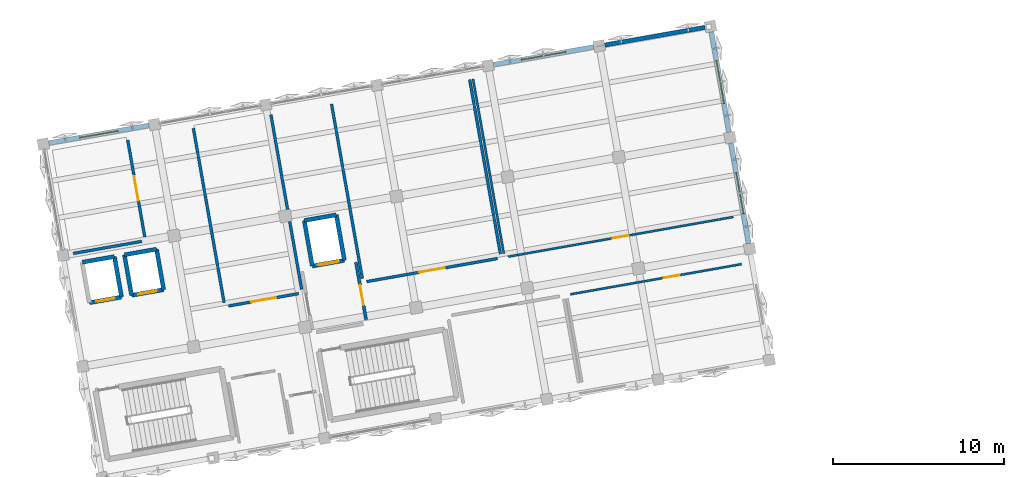
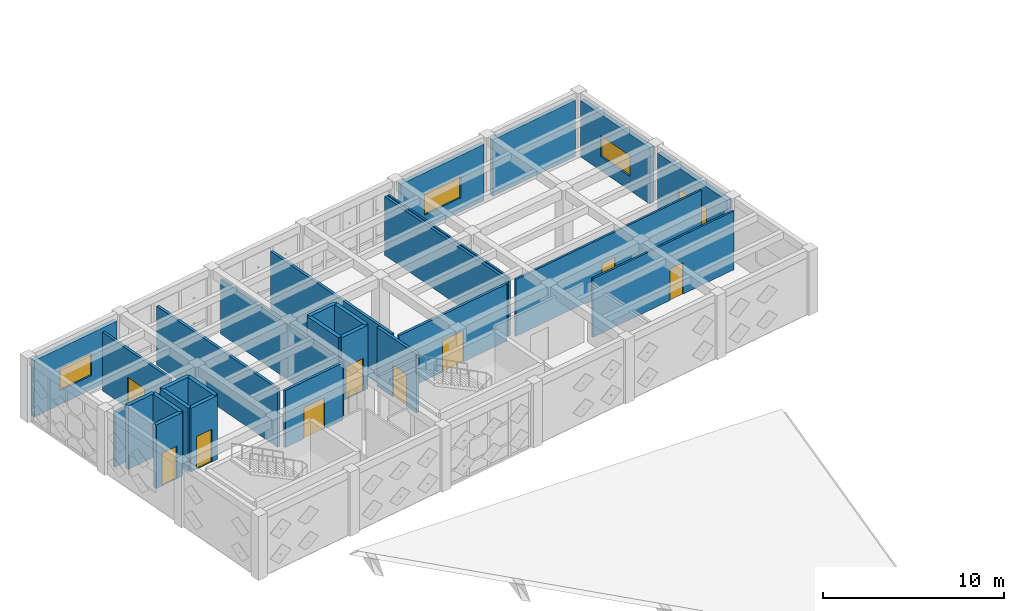
# One storey, part 30 of 39: 28 walls, 9 doors, 4 windows, 13 openings.
"""IFC4 building model written with IfcOpenShell, lengths in metres."""

from ifc_helpers import new_model, si_unit, direction, frame, frame_2d, origin, place, context, subcontext, project, spatial, rectangle, extrude, material, layer, layer_set, type_object, element, fill, save


model = new_model("IFC4")

# Units and contexts
model_context = context("Model", 3, precision=1e-05, world=origin(), true_north=direction((0.0, 1.0)))
body_context = subcontext(model_context, "Body", "Model", "MODEL_VIEW")
ifc_project = project(units=[si_unit("LENGTHUNIT", "METRE"), si_unit("AREAUNIT", "SQUARE_METRE"), si_unit("VOLUMEUNIT", "CUBIC_METRE"), si_unit("PLANEANGLEUNIT", "RADIAN"), si_unit("MASSUNIT", "GRAM", prefix="KILO")], contexts=[model_context])

# Site, building, storey
site_placement = place(None, origin())
site = spatial("IfcSite", under=ifc_project, at=site_placement, CompositionType="ELEMENT")
building_placement = place(site_placement, origin())
building = spatial("IfcBuilding", under=site, at=building_placement, Name="Kharisveld Research Institute", CompositionType="ELEMENT")
storey_placement = place(building_placement, frame((0.0, 0.0, 23.10009765625)))
storey = spatial("IfcBuildingStorey", under=building, at=storey_placement, Name="L05", CompositionType="ELEMENT", Elevation=23.10009765625)

# Walls
ifc_material_1 = material(Name="Concrete C40/50", Category="concrete")
ifc_layer_1 = layer(ifc_material_1, 0.239990234375)
ifc_layer_set_1 = layer_set([ifc_layer_1], Name="WL_CORE_240")
wall_type_1 = type_object("IfcWallType", Name="WL_CORE_240", PredefinedType="SHEAR", material=ifc_layer_set_1)
wall_1_placement = place(storey_placement, frame((17.48828125, 47.3818359375, 0.0), z_axis=(0.0, 0.0, 1.0), x_axis=(-0.173615102578, 0.98481358447, 0.0)))
element("IfcWall", 1, at=wall_1_placement, inside=storey, type_object=wall_type_1, Name="WL:LFT:FFL-01:L05:W", PredefinedType="SHEAR", context=body_context, shape_type="SweptSolid", body=[
    extrude(rectangle(XDim=2.699951171875, YDim=0.239990234375, at=frame_2d((1.35009765625, 0.0))), origin(), (0.0, 0.0, 1.0), 4.27978515625),
])
wall_2_placement = place(storey_placement, frame((17.01953125, 50.040771484375, 0.0), z_axis=(0.0, 0.0, 1.0), x_axis=(0.984815882103, 0.173602068988, 0.0)))
element("IfcWall", 2, at=wall_2_placement, inside=storey, type_object=wall_type_1, Name="WL:LFT:FFL-01:L05:N", PredefinedType="SHEAR", context=body_context, shape_type="SweptSolid", body=[
    extrude(rectangle(XDim=1.89990234375, YDim=0.239990234375, at=frame_2d((0.949951171875, 0.0))), origin(), (0.0, 0.0, 1.0), 4.27978515625),
])
wall_3_placement = place(storey_placement, frame((18.890625, 50.37060546875, 0.0), z_axis=(0.0, 0.0, 1.0), x_axis=(0.173615102578, -0.98481358447, 0.0)))
element("IfcWall", 3, at=wall_3_placement, inside=storey, type_object=wall_type_1, Name="WL:LFT:FFL-01:L05:E", PredefinedType="SHEAR", context=body_context, shape_type="SweptSolid", body=[
    extrude(rectangle(XDim=2.699951171875, YDim=0.239990234375, at=frame_2d((1.35009765625, 0.0))), origin(), (0.0, 0.0, 1.0), 4.27978515625),
])

# Wall, opening, door
wall_4_placement = place(storey_placement, frame((19.359375, 47.711669921875, 0.0), z_axis=(0.0, 0.0, 1.0), x_axis=(-0.984815882103, -0.173602068988, 0.0)))
wall_4 = element("IfcWall", 4, at=wall_4_placement, inside=storey, type_object=wall_type_1, Name="WL:LFT:FFL-01:L05:S", PredefinedType="SHEAR", context=body_context, shape_type="SweptSolid", body=[
    extrude(rectangle(XDim=1.89990234375, YDim=0.239990234375, at=frame_2d((0.949951171875, 0.0))), origin(), (0.0, 0.0, 1.0), 4.27978515625),
])
opening_1_placement = place(wall_4_placement, frame((0.324951171875, 0.0, 0.0)))
opening_1 = element("IfcOpeningElement", 5, at=opening_1_placement, cuts=wall_4, Name="Opening LD-02", PredefinedType="OPENING", context=body_context, shape_type="SweptSolid", body=[
    extrude(rectangle(XDim=1.25, YDim=2.199951171875, at=frame_2d((0.625, 1.10009765625))), frame((0.0, 0.1201171875, 0.0), z_axis=(0.0, -1.0, 0.0), x_axis=(1.0, 0.0, 0.0)), (0.0, 0.0, 1.0), 0.239990234375),
])
ifc_material_2 = material(Name="Flush Painted Hardwood and Anodised Aluminium", Category="wood")
door_type_1 = type_object("IfcDoorType", Name="DR_LFT_125", OperationType="SLIDING_TO_RIGHT", PredefinedType="DOOR", material=ifc_material_2)
door_1_placement = place(opening_1_placement, origin())
door_1 = element("IfcDoor", 6, at=door_1_placement, inside=storey, type_object=door_type_1, Name="FFL-01 Lift Landing Door L05", OperationType="SLIDING_TO_RIGHT", OverallHeight=2.199951171875, OverallWidth=1.25, PredefinedType="DOOR", context=body_context, shape_type="SweptSolid", body=[
    extrude(rectangle(XDim=1.25, YDim=2.199951171875, at=frame_2d((0.625, 1.10009765625))), frame((0.0, 0.02490234375, 0.0), z_axis=(0.0, -1.0, 0.0), x_axis=(1.0, 0.0, 0.0)), (0.0, 0.0, 1.0), 0.050048828125),
])
fill(opening_1, door_1)

# Walls
wall_5_placement = place(storey_placement, frame((4.046142578125, 47.600830078125, 0.0), z_axis=(0.0, 0.0, 1.0), x_axis=(0.984793905749, 0.173726691098, 0.0)))
element("IfcWall", 7, at=wall_5_placement, inside=storey, type_object=wall_type_1, Name="WL:LFT:PL-01:L05:N", PredefinedType="SHEAR", context=body_context, shape_type="SweptSolid", body=[
    extrude(rectangle(XDim=1.89990234375, YDim=0.239990234375, at=frame_2d((0.949951171875, 0.0))), origin(), (0.0, 0.0, 1.0), 4.27978515625),
])
wall_6_placement = place(storey_placement, frame((5.917236328125, 47.930908203125, 0.0), z_axis=(0.0, 0.0, 1.0), x_axis=(0.173646056486, -0.984808127031, 0.0)))
element("IfcWall", 8, at=wall_6_placement, inside=storey, type_object=wall_type_1, Name="WL:LFT:PL-01:L05:E", PredefinedType="SHEAR", context=body_context, shape_type="SweptSolid", body=[
    extrude(rectangle(XDim=2.39990234375, YDim=0.239990234375, at=frame_2d((1.199951171875, 0.0))), origin(), (0.0, 0.0, 1.0), 4.27978515625),
])

# Wall, opening, door
wall_7_placement = place(storey_placement, frame((6.333984375, 45.5673828125, 0.0), z_axis=(0.0, 0.0, 1.0), x_axis=(-0.984793905749, -0.173726691098, 0.0)))
wall_7 = element("IfcWall", 9, at=wall_7_placement, inside=storey, type_object=wall_type_1, Name="WL:LFT:PL-01:L05:S", PredefinedType="SHEAR", context=body_context, shape_type="SweptSolid", body=[
    extrude(rectangle(XDim=1.89990234375, YDim=0.239990234375, at=frame_2d((0.949951171875, 0.0))), origin(), (0.0, 0.0, 1.0), 4.27978515625),
])
opening_2_placement = place(wall_7_placement, frame((0.39990234375, 0.0, 0.0)))
opening_2 = element("IfcOpeningElement", 10, at=opening_2_placement, cuts=wall_7, Name="Opening LD-01", PredefinedType="OPENING", context=body_context, shape_type="SweptSolid", body=[
    extrude(rectangle(XDim=1.10009765625, YDim=2.199951171875, at=frame_2d((0.550048828125, 1.10009765625))), frame((0.0, 0.1201171875, 0.0), z_axis=(0.0, -1.0, 0.0), x_axis=(1.0, 0.0, 0.0)), (0.0, 0.0, 1.0), 0.239990234375),
])
ifc_material_3 = material(Name="Flush Painted Hardwood and Anodised Aluminium", Category="wood")
door_type_2 = type_object("IfcDoorType", Name="DR_LFT_110", OperationType="SLIDING_TO_LEFT", PredefinedType="DOOR", material=ifc_material_3)
door_2_placement = place(opening_2_placement, origin())
door_2 = element("IfcDoor", 11, at=door_2_placement, inside=storey, type_object=door_type_2, Name="PL-01 Lift Landing Door L05", OperationType="SLIDING_TO_LEFT", OverallHeight=2.199951171875, OverallWidth=1.10009765625, PredefinedType="DOOR", context=body_context, shape_type="SweptSolid", body=[
    extrude(rectangle(XDim=1.10009765625, YDim=2.199951171875, at=frame_2d((0.550048828125, 1.10009765625))), frame((0.0, 0.02490234375, 0.0), z_axis=(0.0, -1.0, 0.0), x_axis=(1.0, 0.0, 0.0)), (0.0, 0.0, 1.0), 0.050048828125),
])
fill(opening_2, door_2)

# Walls
wall_8_placement = place(storey_placement, frame((6.9248046875, 45.67138671875, 0.0), z_axis=(0.0, 0.0, 1.0), x_axis=(-0.173646056486, 0.984808127031, 0.0)))
element("IfcWall", 12, at=wall_8_placement, inside=storey, type_object=wall_type_1, Name="WL:LFT:PL-02:L05:W", PredefinedType="SHEAR", context=body_context, shape_type="SweptSolid", body=[
    extrude(rectangle(XDim=2.39990234375, YDim=0.239990234375, at=frame_2d((1.199951171875, 0.0))), origin(), (0.0, 0.0, 1.0), 4.27978515625),
])
wall_9_placement = place(storey_placement, frame((6.508056640625, 48.034912109375, 0.0), z_axis=(0.0, 0.0, 1.0), x_axis=(0.984793905749, 0.173726691098, 0.0)))
element("IfcWall", 13, at=wall_9_placement, inside=storey, type_object=wall_type_1, Name="WL:LFT:PL-02:L05:N", PredefinedType="SHEAR", context=body_context, shape_type="SweptSolid", body=[
    extrude(rectangle(XDim=1.89990234375, YDim=0.239990234375, at=frame_2d((0.949951171875, 0.0))), origin(), (0.0, 0.0, 1.0), 4.27978515625),
])
wall_10_placement = place(storey_placement, frame((8.379150390625, 48.364990234375, 0.0), z_axis=(0.0, 0.0, 1.0), x_axis=(0.173646056486, -0.984808127031, 0.0)))
element("IfcWall", 14, at=wall_10_placement, inside=storey, type_object=wall_type_1, Name="WL:LFT:PL-02:L05:E", PredefinedType="SHEAR", context=body_context, shape_type="SweptSolid", body=[
    extrude(rectangle(XDim=2.39990234375, YDim=0.239990234375, at=frame_2d((1.199951171875, 0.0))), origin(), (0.0, 0.0, 1.0), 4.27978515625),
])

# Wall, opening, door
wall_11_placement = place(storey_placement, frame((8.7958984375, 46.00146484375, 0.0), z_axis=(0.0, 0.0, 1.0), x_axis=(-0.984793905749, -0.173726691098, 0.0)))
wall_11 = element("IfcWall", 15, at=wall_11_placement, inside=storey, type_object=wall_type_1, Name="WL:LFT:PL-02:L05:S", PredefinedType="SHEAR", context=body_context, shape_type="SweptSolid", body=[
    extrude(rectangle(XDim=1.89990234375, YDim=0.239990234375, at=frame_2d((0.949951171875, 0.0))), origin(), (0.0, 0.0, 1.0), 4.27978515625),
])
opening_3_placement = place(wall_11_placement, frame((0.39990234375, 0.0, 0.0)))
opening_3 = element("IfcOpeningElement", 16, at=opening_3_placement, cuts=wall_11, Name="Opening LD-01", PredefinedType="OPENING", context=body_context, shape_type="SweptSolid", body=[
    extrude(rectangle(XDim=1.10009765625, YDim=2.199951171875, at=frame_2d((0.550048828125, 1.10009765625))), frame((0.0, 0.1201171875, 0.0), z_axis=(0.0, -1.0, 0.0), x_axis=(1.0, 0.0, 0.0)), (0.0, 0.0, 1.0), 0.239990234375),
])
door_3_placement = place(opening_3_placement, origin())
door_3 = element("IfcDoor", 17, at=door_3_placement, inside=storey, type_object=door_type_2, Name="PL-02 Lift Landing Door L05", OperationType="SLIDING_TO_LEFT", OverallHeight=2.199951171875, OverallWidth=1.10009765625, PredefinedType="DOOR", context=body_context, shape_type="SweptSolid", body=[
    extrude(rectangle(XDim=1.10009765625, YDim=2.199951171875, at=frame_2d((0.550048828125, 1.10009765625))), frame((0.0, 0.02490234375, 0.0), z_axis=(0.0, -1.0, 0.0), x_axis=(1.0, 0.0, 0.0)), (0.0, 0.0, 1.0), 0.050048828125),
])
fill(opening_3, door_3)

# Wall
ifc_material_4 = material(Name="Lightweight Acoustic Spandrel", Category="mineral")
ifc_layer_2 = layer(ifc_material_4, 0.2451171875)
ifc_layer_set_2 = layer_set([ifc_layer_2], Name="WL_EXT_245")
wall_type_2 = type_object("IfcWallType", Name="WL_EXT_245", PredefinedType="STANDARD", material=ifc_layer_set_2)
wall_12_placement = place(storey_placement, frame((34.575439453125, 60.295166015625, 0.0), z_axis=(0.0, 0.0, 1.0), x_axis=(0.984809527099, 0.173638116021, 0.0)))
element("IfcWall", 18, at=wall_12_placement, inside=storey, type_object=wall_type_2, Name="WL:V1:L05:N5", PredefinedType="STANDARD", context=body_context, shape_type="SweptSolid", body=[
    extrude(rectangle(XDim=5.960205078125, YDim=0.2451171875, at=frame_2d((2.97998046875, 0.0))), origin(), (0.0, 0.0, 1.0), 3.794921875),
])

# Wall, opening, window
ifc_material_5 = material(Name="Precast Concrete C40/50 Thermal Wall", Category="concrete")
ifc_layer_3 = layer(ifc_material_5, 0.260009765625)
ifc_layer_set_3 = layer_set([ifc_layer_3], Name="WL_EXT_260")
wall_type_3 = type_object("IfcWallType", Name="WL_EXT_260", PredefinedType="STANDARD", material=ifc_layer_set_3)
wall_13_placement = place(storey_placement, frame((2.076904296875, 54.564697265625, 0.0), z_axis=(0.0, 0.0, 1.0), x_axis=(0.98480829201, 0.173645120828, 0.0)))
wall_13 = element("IfcWall", 19, at=wall_13_placement, inside=storey, type_object=wall_type_3, Name="WL:V1:L05:N0", PredefinedType="STANDARD", context=body_context, shape_type="SweptSolid", body=[
    extrude(rectangle(XDim=5.9599609375, YDim=0.260009765625, at=frame_2d((2.97998046875, 0.0))), origin(), (0.0, 0.0, 1.0), 3.794921875),
])
opening_4_placement = place(wall_13_placement, frame((1.844970703125, 0.0, 0.949951171875)))
opening_4 = element("IfcOpeningElement", 20, at=opening_4_placement, cuts=wall_13, Name="Opening WN-33", PredefinedType="OPENING", context=body_context, shape_type="SweptSolid", body=[
    extrude(rectangle(XDim=2.27001953125, YDim=1.47998046875, at=frame_2d((1.135009765625, 0.739990234375))), frame((0.0, 0.1298828125, 0.0), z_axis=(0.0, -1.0, 0.0), x_axis=(1.0, 0.0, 0.0)), (0.0, 0.0, 1.0), 0.260009765625),
])
ifc_material_6 = material(Name="Low-E Double Glazing", Category="glass")
window_type_1 = type_object("IfcWindowType", Name="WN_33", PartitioningType="DOUBLE_PANEL_VERTICAL", PredefinedType="WINDOW", material=ifc_material_6)
window_1_placement = place(opening_4_placement, origin())
window_1 = element("IfcWindow", 21, at=window_1_placement, inside=storey, type_object=window_type_1, Name="WN:V1:L05:N0", OverallHeight=1.47998046875, OverallWidth=2.27001953125, PartitioningType="SINGLE_PANEL", PredefinedType="WINDOW", context=body_context, shape_type="SweptSolid", body=[
    extrude(rectangle(XDim=2.27001953125, YDim=1.47998046875, at=frame_2d((1.135009765625, 0.739990234375))), frame((0.0, 0.030029296875, 0.0), z_axis=(0.0, -1.0, 0.0), x_axis=(1.0, 0.0, 0.0)), (0.0, 0.0, 1.0), 0.06005859375),
])
fill(opening_4, window_1)

wall_14_placement = place(storey_placement, frame((28.075927734375, 59.149169921875, 0.0), z_axis=(0.0, 0.0, 1.0), x_axis=(0.98480829201, 0.173645120828, 0.0)))
wall_14 = element("IfcWall", 22, at=wall_14_placement, inside=storey, type_object=wall_type_3, Name="WL:V1:L05:N4", PredefinedType="STANDARD", context=body_context, shape_type="SweptSolid", body=[
    extrude(rectangle(XDim=5.9599609375, YDim=0.260009765625, at=frame_2d((2.97998046875, 0.0))), origin(), (0.0, 0.0, 1.0), 3.794921875),
])
opening_5_placement = place(wall_14_placement, frame((1.6650390625, 0.0, 0.949951171875)))
opening_5 = element("IfcOpeningElement", 23, at=opening_5_placement, cuts=wall_14, Name="Opening WN-37", PredefinedType="OPENING", context=body_context, shape_type="SweptSolid", body=[
    extrude(rectangle(XDim=2.6298828125, YDim=1.419921875, at=frame_2d((1.31494140625, 0.7099609375))), frame((0.0, 0.1298828125, 0.0), z_axis=(0.0, -1.0, 0.0), x_axis=(1.0, 0.0, 0.0)), (0.0, 0.0, 1.0), 0.260009765625),
])
ifc_material_7 = material(Name="Low-E Double Glazing", Category="glass")
window_type_2 = type_object("IfcWindowType", Name="WN_37", PartitioningType="DOUBLE_PANEL_VERTICAL", PredefinedType="WINDOW", material=ifc_material_7)
window_2_placement = place(opening_5_placement, origin())
window_2 = element("IfcWindow", 24, at=window_2_placement, inside=storey, type_object=window_type_2, Name="WN:V1:L05:N4", OverallHeight=1.419921875, OverallWidth=2.6298828125, PartitioningType="SINGLE_PANEL", PredefinedType="WINDOW", context=body_context, shape_type="SweptSolid", body=[
    extrude(rectangle(XDim=2.6298828125, YDim=1.419921875, at=frame_2d((1.31494140625, 0.7099609375))), frame((0.0, 0.030029296875, 0.0), z_axis=(0.0, -1.0, 0.0), x_axis=(1.0, 0.0, 0.0)), (0.0, 0.0, 1.0), 0.06005859375),
])
fill(opening_5, window_2)

ifc_material_8 = material(Name="Precast Concrete C40/50 Thermal Wall", Category="concrete")
ifc_layer_4 = layer(ifc_material_8, 0.27490234375)
ifc_layer_set_4 = layer_set([ifc_layer_4], Name="WL_EXT_275")
wall_type_4 = type_object("IfcWallType", Name="WL_EXT_275", PredefinedType="STANDARD", material=ifc_layer_set_4)
wall_15_placement = place(storey_placement, frame((40.815673828125, 61.070556640625, 0.0), z_axis=(0.0, 0.0, 1.0), x_axis=(0.173645120828, -0.98480829201, 0.0)))
wall_15 = element("IfcWall", 25, at=wall_15_placement, inside=storey, type_object=wall_type_4, Name="WL:V1:L05:E3", PredefinedType="STANDARD", context=body_context, shape_type="SweptSolid", body=[
    extrude(rectangle(XDim=5.9599609375, YDim=0.27490234375, at=frame_2d((2.97998046875, 0.0))), origin(), (0.0, 0.0, 1.0), 3.794921875),
])
opening_6_placement = place(wall_15_placement, frame((1.7099609375, 0.0, 0.949951171875)))
opening_6 = element("IfcOpeningElement", 26, at=opening_6_placement, cuts=wall_15, Name="Opening WN-36", PredefinedType="OPENING", context=body_context, shape_type="SweptSolid", body=[
    extrude(rectangle(XDim=2.5400390625, YDim=1.39990234375, at=frame_2d((1.27001953125, 0.699951171875))), frame((0.0, 0.137451171875, 0.0), z_axis=(0.0, -1.0, 0.0), x_axis=(1.0, 0.0, 0.0)), (0.0, 0.0, 1.0), 0.27490234375),
])
ifc_material_9 = material(Name="Low-E Double Glazing", Category="glass")
window_type_3 = type_object("IfcWindowType", Name="WN_36", PartitioningType="DOUBLE_PANEL_VERTICAL", PredefinedType="WINDOW", material=ifc_material_9)
window_3_placement = place(opening_6_placement, origin())
window_3 = element("IfcWindow", 27, at=window_3_placement, inside=storey, type_object=window_type_3, Name="WN:V1:L05:E3", OverallHeight=1.39990234375, OverallWidth=2.5400390625, PartitioningType="SINGLE_PANEL", PredefinedType="WINDOW", context=body_context, shape_type="SweptSolid", body=[
    extrude(rectangle(XDim=2.5400390625, YDim=1.39990234375, at=frame_2d((1.27001953125, 0.699951171875))), frame((0.0, 0.030029296875, 0.0), z_axis=(0.0, -1.0, 0.0), x_axis=(1.0, 0.0, 0.0)), (0.0, 0.0, 1.0), 0.06005859375),
])
fill(opening_6, window_3)

ifc_material_10 = material(Name="Precast Concrete C40/50 Thermal Wall", Category="concrete")
ifc_layer_5 = layer(ifc_material_10, 0.2900390625)
ifc_layer_set_5 = layer_set([ifc_layer_5], Name="WL_EXT_290")
wall_type_5 = type_object("IfcWallType", Name="WL_EXT_290", PredefinedType="STANDARD", material=ifc_layer_set_5)
wall_16_placement = place(storey_placement, frame((41.9619140625, 54.57080078125, 0.0), z_axis=(0.0, 0.0, 1.0), x_axis=(0.173645120828, -0.98480829201, 0.0)))
wall_16 = element("IfcWall", 28, at=wall_16_placement, inside=storey, type_object=wall_type_5, Name="WL:V1:L05:E2", PredefinedType="STANDARD", context=body_context, shape_type="SweptSolid", body=[
    extrude(rectangle(XDim=5.9599609375, YDim=0.2900390625, at=frame_2d((2.97998046875, 0.0))), origin(), (0.0, 0.0, 1.0), 3.794921875),
])
opening_7_placement = place(wall_16_placement, frame((1.7548828125, 0.0, 0.949951171875)))
opening_7 = element("IfcOpeningElement", 29, at=opening_7_placement, cuts=wall_16, Name="Opening WN-35", PredefinedType="OPENING", context=body_context, shape_type="SweptSolid", body=[
    extrude(rectangle(XDim=2.449951171875, YDim=1.3798828125, at=frame_2d((1.22509765625, 0.68994140625))), frame((0.0, 0.14501953125, 0.0), z_axis=(0.0, -1.0, 0.0), x_axis=(1.0, 0.0, 0.0)), (0.0, 0.0, 1.0), 0.2900390625),
])
ifc_material_11 = material(Name="Low-E Double Glazing", Category="glass")
window_type_4 = type_object("IfcWindowType", Name="WN_35", PartitioningType="DOUBLE_PANEL_VERTICAL", PredefinedType="WINDOW", material=ifc_material_11)
window_4_placement = place(opening_7_placement, origin())
window_4 = element("IfcWindow", 30, at=window_4_placement, inside=storey, type_object=window_type_4, Name="WN:V1:L05:E2", OverallHeight=1.3798828125, OverallWidth=2.449951171875, PartitioningType="SINGLE_PANEL", PredefinedType="WINDOW", context=body_context, shape_type="SweptSolid", body=[
    extrude(rectangle(XDim=2.449951171875, YDim=1.3798828125, at=frame_2d((1.22509765625, 0.68994140625))), frame((0.0, 0.030029296875, 0.0), z_axis=(0.0, -1.0, 0.0), x_axis=(1.0, 0.0, 0.0)), (0.0, 0.0, 1.0), 0.06005859375),
])
fill(opening_7, window_4)

# Wall
ifc_material_12 = material(Name="Acoustic Drywall Partition", Category="mineral")
ifc_layer_6 = layer(ifc_material_12, 0.1650390625)
ifc_layer_set_6 = layer_set([ifc_layer_6], Name="WL_LAB_165")
wall_type_6 = type_object("IfcWallType", Name="WL_LAB_165", PredefinedType="PARTITIONING", material=ifc_layer_set_6)
wall_17_placement = place(storey_placement, frame((3.518310546875, 48.1171875, 0.0), z_axis=(0.0, 0.0, 1.0), x_axis=(0.984816834462, 0.173596666326, 0.0)))
element("IfcWall", 31, at=wall_17_placement, inside=storey, type_object=wall_type_6, Name="WL:RM:V1:L05:NW:S", PredefinedType="PARTITIONING", context=body_context, shape_type="SweptSolid", body=[
    extrude(rectangle(XDim=4.060302734375, YDim=0.1650390625, at=frame_2d((2.0302734375, 0.0))), origin(), (0.0, 0.0, 1.0), 3.69482421875),
])

# Wall, opening, door
wall_18_placement = place(storey_placement, frame((7.6953125, 49.076904296875, 0.0), z_axis=(0.0, 0.0, 1.0), x_axis=(-0.173649928941, 0.984807444214, 0.0)))
wall_18 = element("IfcWall", 32, at=wall_18_placement, inside=storey, type_object=wall_type_6, Name="WL:RM:V1:L05:NW:E", PredefinedType="PARTITIONING", context=body_context, shape_type="SweptSolid", body=[
    extrude(rectangle(XDim=5.760009765625, YDim=0.1650390625, at=frame_2d((2.8798828125, 0.0))), origin(), (0.0, 0.0, 1.0), 3.949951171875),
])
opening_8_placement = place(wall_18_placement, frame((2.155029296875, 0.0, 0.0)))
opening_8 = element("IfcOpeningElement", 33, at=opening_8_placement, cuts=wall_18, Name="Opening DI-115", PredefinedType="OPENING", context=body_context, shape_type="SweptSolid", body=[
    extrude(rectangle(XDim=1.449951171875, YDim=2.080078125, at=frame_2d((0.72509765625, 1.0400390625))), frame((0.0, 0.08251953125, 0.0), z_axis=(0.0, -1.0, 0.0), x_axis=(1.0, 0.0, 0.0)), (0.0, 0.0, 1.0), 0.1650390625),
])
ifc_material_13 = material(Name="Flush Painted Hardwood and Anodised Aluminium", Category="wood")
door_type_3 = type_object("IfcDoorType", Name="DR_VAR_19", OperationType="NOTDEFINED", PredefinedType="DOOR", material=ifc_material_13)
door_4_placement = place(opening_8_placement, origin())
door_4 = element("IfcDoor", 34, at=door_4_placement, inside=storey, type_object=door_type_3, Name="DR:RM:V1:L05:NW:E", OperationType="SINGLE_SWING_RIGHT", OverallHeight=2.080078125, OverallWidth=1.449951171875, PredefinedType="DOOR", context=body_context, shape_type="SweptSolid", body=[
    extrude(rectangle(XDim=1.449951171875, YDim=2.080078125, at=frame_2d((0.72509765625, 1.0400390625))), frame((0.0, 0.02490234375, 0.0), z_axis=(0.0, -1.0, 0.0), x_axis=(1.0, 0.0, 0.0)), (0.0, 0.0, 1.0), 0.050048828125),
])
fill(opening_8, door_4)

wall_19_placement = place(storey_placement, frame((12.589599609375, 45.045654296875, 0.0), z_axis=(0.0, 0.0, 1.0), x_axis=(0.984805411783, 0.173661454915, 0.0)))
wall_19 = element("IfcWall", 35, at=wall_19_placement, inside=storey, type_object=wall_type_6, Name="WL:RM:V1:L05:N1:S", PredefinedType="PARTITIONING", context=body_context, shape_type="SweptSolid", body=[
    extrude(rectangle(XDim=4.159912109375, YDim=0.1650390625, at=frame_2d((2.080078125, 0.0))), origin(), (0.0, 0.0, 1.0), 3.844970703125),
])
opening_9_placement = place(wall_19_placement, frame((1.340087890625, 0.0, 0.0)))
opening_9 = element("IfcOpeningElement", 36, at=opening_9_placement, cuts=wall_19, Name="Opening DI-116", PredefinedType="OPENING", context=body_context, shape_type="SweptSolid", body=[
    extrude(rectangle(XDim=1.47998046875, YDim=2.10009765625, at=frame_2d((0.739990234375, 1.050048828125))), frame((0.0, 0.08251953125, 0.0), z_axis=(0.0, -1.0, 0.0), x_axis=(1.0, 0.0, 0.0)), (0.0, 0.0, 1.0), 0.1650390625),
])
ifc_material_14 = material(Name="Flush Painted Hardwood and Anodised Aluminium", Category="wood")
door_type_4 = type_object("IfcDoorType", Name="DR_VAR_20", OperationType="NOTDEFINED", PredefinedType="DOOR", material=ifc_material_14)
door_5_placement = place(opening_9_placement, origin())
door_5 = element("IfcDoor", 37, at=door_5_placement, inside=storey, type_object=door_type_4, Name="DR:RM:V1:L05:N1:S", OperationType="SINGLE_SWING_LEFT", OverallHeight=2.10009765625, OverallWidth=1.47998046875, PredefinedType="DOOR", context=body_context, shape_type="SweptSolid", body=[
    extrude(rectangle(XDim=1.47998046875, YDim=2.10009765625, at=frame_2d((0.739990234375, 1.050048828125))), frame((0.0, 0.02490234375, 0.0), z_axis=(0.0, -1.0, 0.0), x_axis=(1.0, 0.0, 0.0)), (0.0, 0.0, 1.0), 0.050048828125),
])
fill(opening_9, door_5)

# Walls
wall_20_placement = place(storey_placement, frame((16.86474609375, 46.02294921875, 0.0), z_axis=(0.0, 0.0, 1.0), x_axis=(-0.173632075677, 0.984810592092, 0.0)))
element("IfcWall", 38, at=wall_20_placement, inside=storey, type_object=wall_type_6, Name="WL:RM:V1:L05:N1:E", PredefinedType="PARTITIONING", context=body_context, shape_type="SweptSolid", body=[
    extrude(rectangle(XDim=10.360107421875, YDim=0.1650390625, at=frame_2d((5.18017578125, 0.0))), origin(), (0.0, 0.0, 1.0), 3.69482421875),
])
wall_21_placement = place(storey_placement, frame((10.53564453125, 55.4267578125, 0.0), z_axis=(0.0, 0.0, 1.0), x_axis=(0.173654930775, -0.984806562233, 0.0)))
element("IfcWall", 39, at=wall_21_placement, inside=storey, type_object=wall_type_6, Name="WL:RM:V1:L05:N1:W", PredefinedType="PARTITIONING", context=body_context, shape_type="SweptSolid", body=[
    extrude(rectangle(XDim=10.360107421875, YDim=0.1650390625, at=frame_2d((5.18017578125, 0.0))), origin(), (0.0, 0.0, 1.0), 3.949951171875),
])

# Wall, opening, door
wall_22_placement = place(storey_placement, frame((20.6650390625, 46.469482421875, 0.0), z_axis=(0.0, 0.0, 1.0), x_axis=(0.984804455571, 0.173666877348, 0.0)))
wall_22 = element("IfcWall", 40, at=wall_22_placement, inside=storey, type_object=wall_type_6, Name="WL:RM:V1:L05:N2:S", PredefinedType="PARTITIONING", context=body_context, shape_type="SweptSolid", body=[
    extrude(rectangle(XDim=7.760009765625, YDim=0.1650390625, at=frame_2d((3.8798828125, 0.0))), origin(), (0.0, 0.0, 1.0), 3.844970703125),
])
opening_10_placement = place(wall_22_placement, frame((3.125, 0.0, 0.0)))
opening_10 = element("IfcOpeningElement", 41, at=opening_10_placement, cuts=wall_22, Name="Opening DI-117", PredefinedType="OPENING", context=body_context, shape_type="SweptSolid", body=[
    extrude(rectangle(XDim=1.510009765625, YDim=2.1201171875, at=frame_2d((0.7548828125, 1.06005859375))), frame((0.0, 0.08251953125, 0.0), z_axis=(0.0, -1.0, 0.0), x_axis=(1.0, 0.0, 0.0)), (0.0, 0.0, 1.0), 0.1650390625),
])
ifc_material_15 = material(Name="Flush Painted Hardwood and Anodised Aluminium", Category="wood")
door_type_5 = type_object("IfcDoorType", Name="DR_VAR_21", OperationType="NOTDEFINED", PredefinedType="DOOR", material=ifc_material_15)
door_6_placement = place(opening_10_placement, origin())
door_6 = element("IfcDoor", 42, at=door_6_placement, inside=storey, type_object=door_type_5, Name="DR:RM:V1:L05:N2:S", OperationType="SINGLE_SWING_RIGHT", OverallHeight=2.1201171875, OverallWidth=1.510009765625, PredefinedType="DOOR", context=body_context, shape_type="SweptSolid", body=[
    extrude(rectangle(XDim=1.510009765625, YDim=2.1201171875, at=frame_2d((0.7548828125, 1.06005859375))), frame((0.0, 0.02490234375, 0.0), z_axis=(0.0, -1.0, 0.0), x_axis=(1.0, 0.0, 0.0)), (0.0, 0.0, 1.0), 0.050048828125),
])
fill(opening_10, door_6)

# Walls
for number, where, z_axis, x_axis, name in (
    (43, (28.485595703125, 48.072021484375, 0.0), (0.0, 0.0, 1.0), (-0.173654930775, 0.984806562233, 0.0), "WL:RM:V1:L05:N2:E"),
    (44, (18.611083984375, 56.8505859375, 0.0), (0.0, 0.0, 1.0), (0.173654930775, -0.984806562233, 0.0), "WL:RM:V1:L05:N2:W"),
):
    element("IfcWall", number, at=place(storey_placement, frame(where, z_axis=z_axis, x_axis=x_axis)), inside=storey, type_object=wall_type_6, Name=name, PredefinedType="PARTITIONING", context=body_context, shape_type="SweptSolid", body=[
        extrude(rectangle(XDim=10.360107421875, YDim=0.1650390625, at=frame_2d((5.18017578125, 0.0))), origin(), (0.0, 0.0, 1.0), 3.949951171875),
    ])

# Wall, opening, door
ifc_material_16 = material(Name="Masonry Blockwork", Category="masonry")
ifc_layer_7 = layer(ifc_material_16, 0.18505859375)
ifc_layer_set_7 = layer_set([ifc_layer_7], Name="WL_LOB_185")
wall_type_7 = type_object("IfcWallType", Name="WL_LOB_185", PredefinedType="SOLIDWALL", material=ifc_layer_set_7)
wall_23_placement = place(storey_placement, frame((20.6298828125, 44.249755859375, 0.0), z_axis=(0.0, 0.0, 1.0), x_axis=(-0.173621956536, 0.984812376145, 0.0)))
wall_23 = element("IfcWall", 45, at=wall_23_placement, inside=storey, type_object=wall_type_7, Name="WL:RM:V1:L05:FFL:E", PredefinedType="SOLIDWALL", context=body_context, shape_type="SweptSolid", body=[
    extrude(rectangle(XDim=3.409912109375, YDim=0.18505859375, at=frame_2d((1.705078125, 0.0))), origin(), (0.0, 0.0, 1.0), 3.949951171875),
])
opening_11_placement = place(wall_23_placement, frame((0.85009765625, 0.0, 0.0)))
opening_11 = element("IfcOpeningElement", 46, at=opening_11_placement, cuts=wall_23, Name="Opening DI-111", PredefinedType="OPENING", context=body_context, shape_type="SweptSolid", body=[
    extrude(rectangle(XDim=1.199951171875, YDim=2.14990234375, at=frame_2d((0.60009765625, 1.074951171875))), frame((0.0, 0.092529296875, 0.0), z_axis=(0.0, -1.0, 0.0), x_axis=(1.0, 0.0, 0.0)), (0.0, 0.0, 1.0), 0.18505859375),
])
ifc_material_17 = material(Name="Flush Painted Hardwood and Anodised Aluminium", Category="wood")
door_type_6 = type_object("IfcDoorType", Name="DR_FD120_120", OperationType="NOTDEFINED", PredefinedType="DOOR", material=ifc_material_17)
door_7_placement = place(opening_11_placement, origin())
door_7 = element("IfcDoor", 47, at=door_7_placement, inside=storey, type_object=door_type_6, Name="DR:RM:V1:L05:FFL:E", OperationType="SINGLE_SWING_RIGHT", OverallHeight=2.14990234375, OverallWidth=1.199951171875, PredefinedType="DOOR", context=body_context, shape_type="SweptSolid", body=[
    extrude(rectangle(XDim=1.199951171875, YDim=2.14990234375, at=frame_2d((0.60009765625, 1.074951171875))), frame((0.0, 0.02490234375, 0.0), z_axis=(0.0, -1.0, 0.0), x_axis=(1.0, 0.0, 0.0)), (0.0, 0.0, 1.0), 0.050048828125),
])
fill(opening_11, door_7)

ifc_material_18 = material(Name="Insulated Stud Partition", Category="mineral")
ifc_layer_8 = layer(ifc_material_18, 0.125)
ifc_layer_set_8 = layer_set([ifc_layer_8], Name="WL_OFF_125")
wall_type_8 = type_object("IfcWallType", Name="WL_OFF_125", PredefinedType="PARTITIONING", material=ifc_layer_set_8)
wall_24_placement = place(storey_placement, frame((28.9375, 47.92822265625, 0.0), z_axis=(0.0, 0.0, 1.0), x_axis=(0.984809119622, 0.173640427059, 0.0)))
wall_24 = element("IfcWall", 48, at=wall_24_placement, inside=storey, type_object=wall_type_8, Name="WL:RM:V1:L05:N3:S", PredefinedType="PARTITIONING", context=body_context, shape_type="SweptSolid", body=[
    extrude(rectangle(XDim=13.35986328125, YDim=0.125, at=frame_2d((6.679931640625, 0.0))), origin(), (0.0, 0.0, 1.0), 3.844970703125),
])
opening_12_placement = place(wall_24_placement, frame((6.2099609375, 0.0, 0.0)))
opening_12 = element("IfcOpeningElement", 49, at=opening_12_placement, cuts=wall_24, Name="Opening DI-118", PredefinedType="OPENING", context=body_context, shape_type="SweptSolid", body=[
    extrude(rectangle(XDim=0.93994140625, YDim=2.1201171875, at=frame_2d((0.469970703125, 1.06005859375))), frame((0.0, 0.0625, 0.0), z_axis=(0.0, -1.0, 0.0), x_axis=(1.0, 0.0, 0.0)), (0.0, 0.0, 1.0), 0.125),
])
ifc_material_19 = material(Name="Flush Painted Hardwood and Anodised Aluminium", Category="wood")
door_type_7 = type_object("IfcDoorType", Name="DR_OFF_094", OperationType="NOTDEFINED", PredefinedType="DOOR", material=ifc_material_19)
door_8_placement = place(opening_12_placement, origin())
door_8 = element("IfcDoor", 50, at=door_8_placement, inside=storey, type_object=door_type_7, Name="DR:RM:V1:L05:N3:S", OperationType="SINGLE_SWING_LEFT", OverallHeight=2.1201171875, OverallWidth=0.93994140625, PredefinedType="DOOR", context=body_context, shape_type="SweptSolid", body=[
    extrude(rectangle(XDim=0.93994140625, YDim=2.1201171875, at=frame_2d((0.469970703125, 1.06005859375))), frame((0.0, 0.02490234375, 0.0), z_axis=(0.0, -1.0, 0.0), x_axis=(1.0, 0.0, 0.0)), (0.0, 0.0, 1.0), 0.050048828125),
])
fill(opening_12, door_8)

# Wall
wall_25_placement = place(storey_placement, frame((26.883544921875, 58.309326171875, 0.0), z_axis=(0.0, 0.0, 1.0), x_axis=(0.173654930775, -0.984806562233, 0.0)))
element("IfcWall", 51, at=wall_25_placement, inside=storey, type_object=wall_type_8, Name="WL:RM:V1:L05:N3:W", PredefinedType="PARTITIONING", context=body_context, shape_type="SweptSolid", body=[
    extrude(rectangle(XDim=10.360107421875, YDim=0.125, at=frame_2d((5.18017578125, 0.0))), origin(), (0.0, 0.0, 1.0), 3.949951171875),
])

# Wall, opening, door
wall_26_placement = place(storey_placement, frame((42.58056640625, 47.49072265625, 0.0), z_axis=(0.0, 0.0, 1.0), x_axis=(-0.98480532288, -0.173661959067, 0.0)))
wall_26 = element("IfcWall", 52, at=wall_26_placement, inside=storey, type_object=wall_type_8, Name="WL:RM:V1:L05:S2:N", PredefinedType="PARTITIONING", context=body_context, shape_type="SweptSolid", body=[
    extrude(rectangle(XDim=10.159912109375, YDim=0.125, at=frame_2d((5.080078125, 0.0))), origin(), (0.0, 0.0, 1.0), 3.949951171875),
])
opening_13_placement = place(wall_26_placement, frame((3.68798828125, 0.0, 0.0)))
opening_13 = element("IfcOpeningElement", 53, at=opening_13_placement, cuts=wall_26, Name="Opening DI-120", PredefinedType="OPENING", context=body_context, shape_type="SweptSolid", body=[
    extrude(rectangle(XDim=0.93994140625, YDim=2.1201171875, at=frame_2d((0.469970703125, 1.06005859375))), frame((0.0, 0.0625, 0.0), z_axis=(0.0, -1.0, 0.0), x_axis=(1.0, 0.0, 0.0)), (0.0, 0.0, 1.0), 0.125),
])
door_9_placement = place(opening_13_placement, origin())
door_9 = element("IfcDoor", 54, at=door_9_placement, inside=storey, type_object=door_type_7, Name="DR:RM:V1:L05:S2:N", OperationType="SINGLE_SWING_RIGHT", OverallHeight=2.1201171875, OverallWidth=0.93994140625, PredefinedType="DOOR", context=body_context, shape_type="SweptSolid", body=[
    extrude(rectangle(XDim=0.93994140625, YDim=2.1201171875, at=frame_2d((0.469970703125, 1.06005859375))), frame((0.0, 0.02490234375, 0.0), z_axis=(0.0, -1.0, 0.0), x_axis=(1.0, 0.0, 0.0)), (0.0, 0.0, 1.0), 0.050048828125),
])
fill(opening_13, door_9)

save(model, "model.ifc")
